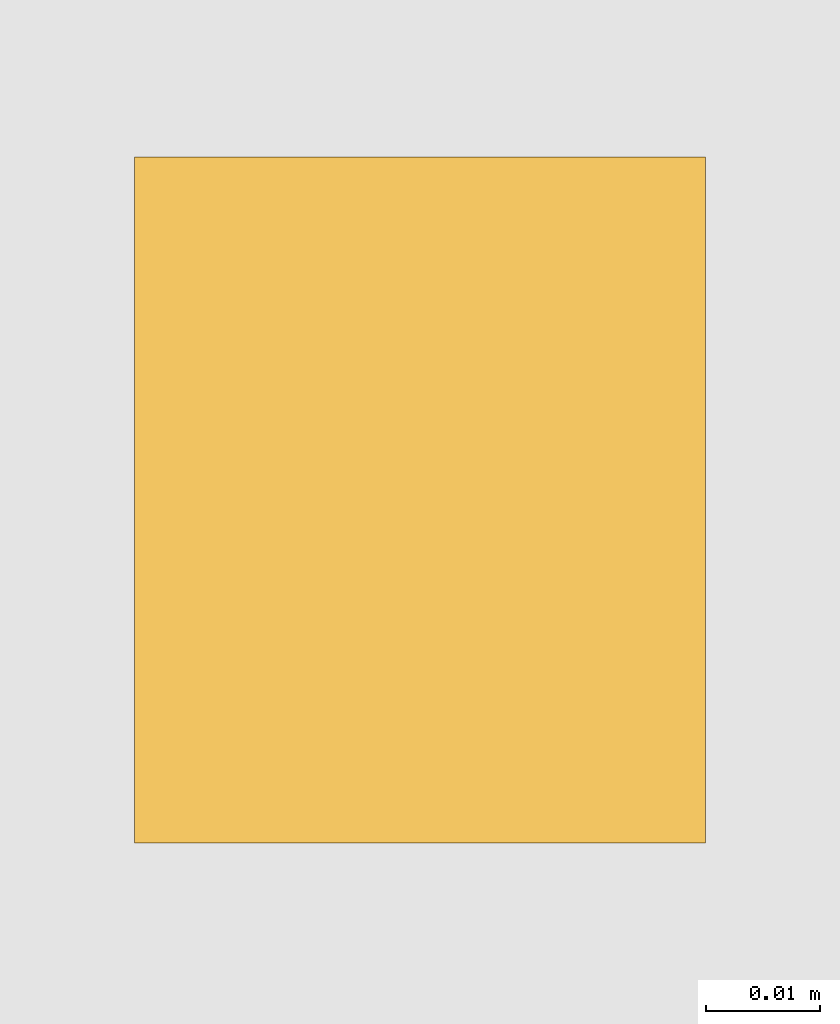
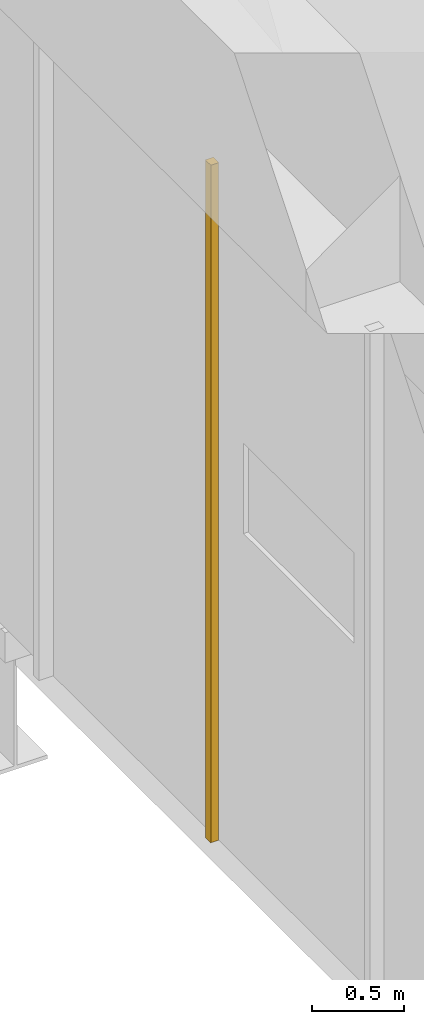
# One storey, part 25 of 38: 1 covering.
"""IFC4 building model written with IfcOpenShell, lengths in metres."""

from ifc_helpers import new_model, si_unit, direction, frame, origin, origin_2d, place, context, subcontext, project, spatial, rectangle, extrude, material, type_object, element, save


model = new_model("IFC4")

# Units and contexts
model_context = context("Model", 3, precision=1e-05, world=origin(), true_north=direction((0.0, 1.0)))
body_context = subcontext(model_context, "Body", "Model", "MODEL_VIEW")
ifc_project = project(units=[si_unit("LENGTHUNIT", "METRE"), si_unit("AREAUNIT", "SQUARE_METRE"), si_unit("VOLUMEUNIT", "CUBIC_METRE"), si_unit("PLANEANGLEUNIT", "RADIAN"), si_unit("MASSUNIT", "GRAM", prefix="KILO")], contexts=[model_context])

# Site, building, storey
site_placement = place(None, origin())
site = spatial("IfcSite", under=ifc_project, at=site_placement, CompositionType="ELEMENT")
building_placement = place(site_placement, origin())
building = spatial("IfcBuilding", under=site, at=building_placement, Name="Cobrizo Arcos Hotel Tower", CompositionType="ELEMENT")
storey_placement = place(building_placement, frame((0.0, 0.0, 138.0)))
storey = spatial("IfcBuildingStorey", under=building, at=storey_placement, Name="L35", CompositionType="ELEMENT", Elevation=138.0)

# Covering
ifc_material = material(Name="Aluminium 6063-T6 anodised pale", Category="aluminium")
covering_type = type_object("IfcCoveringType", Name="RS-2 rainscreen rib 60x50", PredefinedType="CLADDING", material=ifc_material)
covering_placement = place(storey_placement, frame((-23.125, 8.10009765625, 0.0), z_axis=(0.0, 0.0, 1.0), x_axis=(0.0, -1.0, 0.0)))
element("IfcCovering", 1, at=covering_placement, inside=storey, type_object=covering_type, Name="Rainscreen rib 52", PredefinedType="CLADDING", context=body_context, shape_type="SweptSolid", body=[
    extrude(rectangle(XDim=0.06005859375, YDim=0.050048828125, at=origin_2d()), origin(), (0.0, 0.0, 1.0), 4.5),
])

save(model, "model.ifc")
